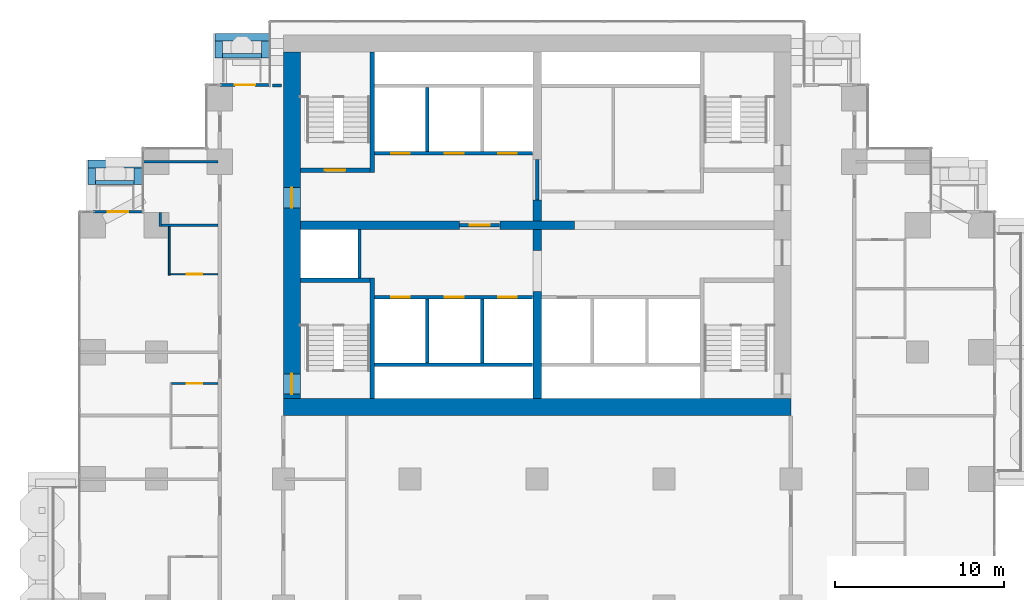
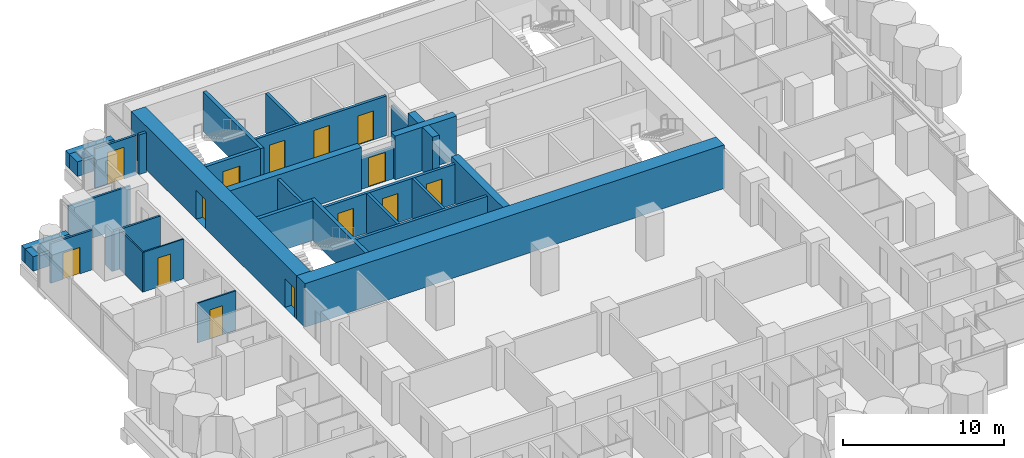
# One storey, part 14 of 19: 37 walls, 14 doors, 14 openings.
"""IFC4 building model written with IfcOpenShell, lengths in metres."""

from ifc_helpers import new_model, si_unit, direction, frame, frame_2d, origin, place, context, subcontext, project, spatial, rectangle, extrude, material, layer, layer_set, type_object, element, fill, save


model = new_model("IFC4")

# Units and contexts
model_context = context("Model", 3, precision=1e-05, world=origin(), true_north=direction((0.0, 1.0)))
body_context = subcontext(model_context, "Body", "Model", "MODEL_VIEW")
ifc_project = project(units=[si_unit("LENGTHUNIT", "METRE"), si_unit("AREAUNIT", "SQUARE_METRE"), si_unit("VOLUMEUNIT", "CUBIC_METRE"), si_unit("PLANEANGLEUNIT", "RADIAN"), si_unit("MASSUNIT", "GRAM", prefix="KILO")], contexts=[model_context])

# Site, building, storey
site_placement = place(None, origin())
site = spatial("IfcSite", under=ifc_project, at=site_placement, CompositionType="ELEMENT")
building_placement = place(site_placement, origin())
building = spatial("IfcBuilding", under=site, at=building_placement, Name="Pilkhan Gate Tower", CompositionType="ELEMENT")
storey_placement = place(building_placement, frame((0.0, 0.0, 65.89990234375)))
storey = spatial("IfcBuildingStorey", under=building, at=storey_placement, Name="L14", CompositionType="ELEMENT", Elevation=65.89990234375)

# Walls
ifc_material_1 = material(Name="Concrete C40/50", Category="concrete")
ifc_layer_1 = layer(ifc_material_1, 0.25)
ifc_layer_set_1 = layer_set([ifc_layer_1], Name="Balcony planter BP250")
wall_type_1 = type_object("IfcWallType", Name="Balcony planter BP250", PredefinedType="USERDEFINED", material=ifc_layer_set_1)
wall_1_placement = place(storey_placement, frame((56.39990234375, 92.52490234375, 0.0), z_axis=(0.0, 0.0, 1.0), x_axis=(1.0, 0.0, 0.0)))
element("IfcWall", 1, at=wall_1_placement, inside=storey, type_object=wall_type_1, Name="Balcony planter L14 N", ObjectType="BALCONY PLANTER", PredefinedType="USERDEFINED", context=body_context, shape_type="SweptSolid", body=[
    extrude(rectangle(XDim=2.300048828125, YDim=0.25, at=frame_2d((1.14990234375, 0.0))), origin(), (0.0, 0.0, 1.0), 1.0),
])
wall_2_placement = place(storey_placement, frame((48.89990234375, 85.02490234375, 0.0), z_axis=(0.0, 0.0, 1.0), x_axis=(1.0, 0.0, 0.0)))
element("IfcWall", 2, at=wall_2_placement, inside=storey, type_object=wall_type_1, Name="Balcony planter L14 N", ObjectType="BALCONY PLANTER", PredefinedType="USERDEFINED", context=body_context, shape_type="SweptSolid", body=[
    extrude(rectangle(XDim=2.280029296875, YDim=0.25, at=frame_2d((1.14013671875, 0.0))), origin(), (0.0, 0.0, 1.0), 1.0),
])
ifc_material_2 = material(Name="Board-marked Concrete C40/50", Category="concrete")
ifc_layer_2 = layer(ifc_material_2, 0.449951171875)
ifc_layer_set_2 = layer_set([ifc_layer_2], Name="Balcony planter lip BL450")
wall_type_2 = type_object("IfcWallType", Name="Balcony planter lip BL450", PredefinedType="USERDEFINED", material=ifc_layer_set_2)
wall_3_placement = place(storey_placement, frame((55.949951171875, 93.625, 0.0), z_axis=(0.0, 0.0, 1.0), x_axis=(1.0, 0.0, 0.0)))
element("IfcWall", 3, at=wall_3_placement, inside=storey, type_object=wall_type_2, Name="Balcony planter L14 N", ObjectType="BALCONY PLANTER", PredefinedType="USERDEFINED", context=body_context, shape_type="SweptSolid", body=[
    extrude(rectangle(XDim=3.199951171875, YDim=0.449951171875, at=frame_2d((1.60009765625, 0.0))), origin(), (0.0, 0.0, 1.0), 1.10009765625),
])
for number, where, z_axis, x_axis, name in (
    (4, (56.175048828125, 92.39990234375, 0.0), (0.0, 0.0, 1.0), (0.0, 1.0, 0.0), "Balcony planter L14 N"),
    (5, (58.925048828125, 92.39990234375, 0.0), (0.0, 0.0, 1.0), (0.0, 1.0, 0.0), "Balcony planter L14 N"),
):
    element("IfcWall", number, at=place(storey_placement, frame(where, z_axis=z_axis, x_axis=x_axis)), inside=storey, type_object=wall_type_2, Name=name, ObjectType="BALCONY PLANTER", PredefinedType="USERDEFINED", context=body_context, shape_type="SweptSolid", body=[
        extrude(rectangle(XDim=1.0, YDim=0.449951171875, at=frame_2d((0.5, 0.0))), origin(), (0.0, 0.0, 1.0), 1.10009765625),
    ])
wall_4_placement = place(storey_placement, frame((48.449951171875, 86.125, 0.0), z_axis=(0.0, 0.0, 1.0), x_axis=(1.0, 0.0, 0.0)))
element("IfcWall", 6, at=wall_4_placement, inside=storey, type_object=wall_type_2, Name="Balcony planter L14 N", ObjectType="BALCONY PLANTER", PredefinedType="USERDEFINED", context=body_context, shape_type="SweptSolid", body=[
    extrude(rectangle(XDim=3.179931640625, YDim=0.449951171875, at=frame_2d((1.58984375, 0.0))), origin(), (0.0, 0.0, 1.0), 1.10009765625),
])
for number, where, z_axis, x_axis, name in (
    (7, (48.675048828125, 84.89990234375, 0.0), (0.0, 0.0, 1.0), (0.0, 1.0, 0.0), "Balcony planter L14 N"),
    (8, (51.405029296875, 84.89990234375, 0.0), (0.0, 0.0, 1.0), (0.0, 1.0, 0.0), "Balcony planter L14 N"),
):
    element("IfcWall", number, at=place(storey_placement, frame(where, z_axis=z_axis, x_axis=x_axis)), inside=storey, type_object=wall_type_2, Name=name, ObjectType="BALCONY PLANTER", PredefinedType="USERDEFINED", context=body_context, shape_type="SweptSolid", body=[
        extrude(rectangle(XDim=1.0, YDim=0.449951171875, at=frame_2d((0.5, 0.0))), origin(), (0.0, 0.0, 1.0), 1.10009765625),
    ])
ifc_material_3 = material(Name="Concrete C70/85", Category="concrete")
ifc_layer_3 = layer(ifc_material_3, 1.0)
ifc_layer_set_3 = layer_set([ifc_layer_3], Name="Core wall CW1000 C70/85")
wall_type_3 = type_object("IfcWallType", Name="Core wall CW1000 C70/85", PredefinedType="SHEAR", material=ifc_layer_set_3)
wall_5_placement = place(storey_placement, frame((60.0, 71.75, 0.0), z_axis=(0.0, 0.0, 1.0), x_axis=(1.0, 0.0, 0.0)))
element("IfcWall", 9, at=wall_5_placement, inside=storey, type_object=wall_type_3, Name="Core wall S L14", PredefinedType="SHEAR", context=body_context, shape_type="SweptSolid", body=[
    extrude(rectangle(XDim=30.0, YDim=1.0, at=frame_2d((15.0, 0.0))), origin(), (0.0, 0.0, 1.0), 3.300048828125),
])

# Wall, openings, doors
wall_6_placement = place(storey_placement, frame((60.5, 92.75, 0.0), z_axis=(0.0, 0.0, 1.0), x_axis=(0.0, -1.0, 0.0)))
wall_6 = element("IfcWall", 10, at=wall_6_placement, inside=storey, type_object=wall_type_3, Name="Core wall W L14", PredefinedType="SHEAR", context=body_context, shape_type="SweptSolid", body=[
    extrude(rectangle(XDim=20.5, YDim=1.0, at=frame_2d((10.25, 0.0))), origin(), (0.0, 0.0, 1.0), 3.300048828125),
])
opening_1_placement = place(wall_6_placement, frame((19.02490234375, 0.0, 0.0)))
opening_1 = element("IfcOpeningElement", 11, at=opening_1_placement, cuts=wall_6, Name="Opening L14-04", PredefinedType="OPENING", context=body_context, shape_type="SweptSolid", body=[
    extrude(rectangle(XDim=1.199951171875, YDim=2.199951171875, at=frame_2d((0.60009765625, 1.10009765625))), frame((0.0, 0.510009765625, 0.0), z_axis=(0.0, -1.0, 0.0), x_axis=(1.0, 0.0, 0.0)), (0.0, 0.0, 1.0), 1.02001953125),
])
opening_2_placement = place(wall_6_placement, frame((8.02490234375, 0.0, 0.0)))
opening_2 = element("IfcOpeningElement", 12, at=opening_2_placement, cuts=wall_6, Name="Opening L14-49", PredefinedType="OPENING", context=body_context, shape_type="SweptSolid", body=[
    extrude(rectangle(XDim=1.199951171875, YDim=2.199951171875, at=frame_2d((0.60009765625, 1.10009765625))), frame((0.0, 0.510009765625, 0.0), z_axis=(0.0, -1.0, 0.0), x_axis=(1.0, 0.0, 0.0)), (0.0, 0.0, 1.0), 1.02001953125),
])
ifc_material_4 = material(Name="Steel door, 120 minute fire resisting, self-closing", Category="steel")
door_type_1 = type_object("IfcDoorType", Name="Firefighting lobby door D10 1200x2200", OperationType="SINGLE_SWING_LEFT", PredefinedType="DOOR", material=ifc_material_4)
door_1_placement = place(opening_2_placement, origin())
door_1 = element("IfcDoor", 13, at=door_1_placement, inside=storey, type_object=door_type_1, Name="Core door", OperationType="SINGLE_SWING_LEFT", OverallHeight=2.199951171875, OverallWidth=1.199951171875, PredefinedType="DOOR", context=body_context, shape_type="SweptSolid", body=[
    extrude(rectangle(XDim=1.199951171875, YDim=2.199951171875, at=frame_2d((0.60009765625, 1.10009765625))), frame((0.0, 0.02490234375, 0.0), z_axis=(0.0, -1.0, 0.0), x_axis=(1.0, 0.0, 0.0)), (0.0, 0.0, 1.0), 0.050048828125),
])
fill(opening_2, door_1)
ifc_material_5 = material(Name="Steel door, 120 minute fire resisting, panic bar", Category="steel")
door_type_2 = type_object("IfcDoorType", Name="Stair door D11 1200x2200", OperationType="SINGLE_SWING_LEFT", PredefinedType="DOOR", material=ifc_material_5)
door_2_placement = place(opening_1_placement, origin())
door_2 = element("IfcDoor", 14, at=door_2_placement, inside=storey, type_object=door_type_2, Name="Stair ST2 door", OperationType="SINGLE_SWING_LEFT", OverallHeight=2.199951171875, OverallWidth=1.199951171875, PredefinedType="DOOR", context=body_context, shape_type="SweptSolid", body=[
    extrude(rectangle(XDim=1.199951171875, YDim=2.199951171875, at=frame_2d((0.60009765625, 1.10009765625))), frame((0.0, 0.02490234375, 0.0), z_axis=(0.0, -1.0, 0.0), x_axis=(1.0, 0.0, 0.0)), (0.0, 0.0, 1.0), 0.050048828125),
])
fill(opening_1, door_2)

# Wall
ifc_material_6 = material(Name="Dense blockwork", Category="masonry")
ifc_layer_4 = layer(ifc_material_6, 0.199951171875)
ifc_layer_set_4 = layer_set([ifc_layer_4], Name="Corridor wall FW200")
wall_type_4 = type_object("IfcWallType", Name="Corridor wall FW200", PredefinedType="PARTITIONING", material=ifc_layer_set_4)
wall_7_placement = place(storey_placement, frame((59.35498046875, 90.764892578125, 0.0), z_axis=(0.0, 0.0, 1.0), x_axis=(1.0, 0.0, 0.0)))
element("IfcWall", 15, at=wall_7_placement, inside=storey, type_object=wall_type_4, Name="Partition L14", PredefinedType="PARTITIONING", context=body_context, shape_type="SweptSolid", body=[
    extrude(rectangle(XDim=0.52490234375, YDim=0.199951171875, at=frame_2d((0.262451171875, 0.0))), origin(), (0.0, 0.0, 1.0), 3.0),
])

# Wall, opening, door
ifc_material_7 = material(Name="Pale anodised aluminium, clear laminated glazing", Category="aluminium")
ifc_layer_5 = layer(ifc_material_7, 0.14990234375)
ifc_layer_set_5 = layer_set([ifc_layer_5], Name="Facade infill wall IW150")
wall_type_5 = type_object("IfcWallType", Name="Facade infill wall IW150", PredefinedType="SOLIDWALL", material=ifc_layer_set_5)
wall_8_placement = place(storey_placement, frame((56.25, 90.794921875, 0.0), z_axis=(0.0, 0.0, 1.0), x_axis=(1.0, 0.0, 0.0)))
wall_8 = element("IfcWall", 16, at=wall_8_placement, inside=storey, type_object=wall_type_5, Name="Infill wall L14 N", PredefinedType="SOLIDWALL", context=body_context, shape_type="SweptSolid", body=[
    extrude(rectangle(XDim=2.955078125, YDim=0.14990234375, at=frame_2d((1.4775390625, 0.0))), origin(), (0.0, 0.0, 1.0), 3.0),
])
opening_3_placement = place(wall_8_placement, frame((0.87744140625, 0.0, 0.0)))
opening_3 = element("IfcOpeningElement", 17, at=opening_3_placement, cuts=wall_8, Name="Opening D1", PredefinedType="OPENING", context=body_context, shape_type="SweptSolid", body=[
    extrude(rectangle(XDim=1.199951171875, YDim=2.39990234375, at=frame_2d((0.60009765625, 1.199951171875))), frame((0.0, 0.0849609375, 0.0), z_axis=(0.0, -1.0, 0.0), x_axis=(1.0, 0.0, 0.0)), (0.0, 0.0, 1.0), 0.169921875),
])
ifc_material_8 = material(Name="Pale anodised aluminium, clear glazing", Category="aluminium")
door_type_3 = type_object("IfcDoorType", Name="Balcony door D1 1200x2400", OperationType="SINGLE_SWING_LEFT", PredefinedType="DOOR", material=ifc_material_8)
door_3_placement = place(opening_3_placement, origin())
door_3 = element("IfcDoor", 18, at=door_3_placement, inside=storey, type_object=door_type_3, Name="Balcony door L14", OperationType="SINGLE_SWING_LEFT", OverallHeight=2.39990234375, OverallWidth=1.199951171875, PredefinedType="DOOR", context=body_context, shape_type="SweptSolid", body=[
    extrude(rectangle(XDim=1.199951171875, YDim=2.39990234375, at=frame_2d((0.60009765625, 1.199951171875))), frame((0.0, 0.02490234375, 0.0), z_axis=(0.0, -1.0, 0.0), x_axis=(1.0, 0.0, 0.0)), (0.0, 0.0, 1.0), 0.050048828125),
])
fill(opening_3, door_3)

wall_9_placement = place(storey_placement, frame((48.75, 83.294921875, 0.0), z_axis=(0.0, 0.0, 1.0), x_axis=(1.0, 0.0, 0.0)))
wall_9 = element("IfcWall", 19, at=wall_9_placement, inside=storey, type_object=wall_type_5, Name="Infill wall L14 N", PredefinedType="SOLIDWALL", context=body_context, shape_type="SweptSolid", body=[
    extrude(rectangle(XDim=2.955078125, YDim=0.14990234375, at=frame_2d((1.4775390625, 0.0))), origin(), (0.0, 0.0, 1.0), 3.0),
])
opening_4_placement = place(wall_9_placement, frame((0.87744140625, 0.0, 0.0)))
opening_4 = element("IfcOpeningElement", 20, at=opening_4_placement, cuts=wall_9, Name="Opening D1L", PredefinedType="OPENING", context=body_context, shape_type="SweptSolid", body=[
    extrude(rectangle(XDim=1.199951171875, YDim=2.0, at=frame_2d((0.60009765625, 1.0))), frame((0.0, 0.0849609375, 0.0), z_axis=(0.0, -1.0, 0.0), x_axis=(1.0, 0.0, 0.0)), (0.0, 0.0, 1.0), 0.169921875),
])
door_type_4 = type_object("IfcDoorType", Name="Balcony door D1L 1200x2000", OperationType="SINGLE_SWING_LEFT", PredefinedType="DOOR", material=ifc_material_8)
door_4_placement = place(opening_4_placement, origin())
door_4 = element("IfcDoor", 21, at=door_4_placement, inside=storey, type_object=door_type_4, Name="Balcony door L14", OperationType="SINGLE_SWING_LEFT", OverallHeight=2.0, OverallWidth=1.199951171875, PredefinedType="DOOR", context=body_context, shape_type="SweptSolid", body=[
    extrude(rectangle(XDim=1.199951171875, YDim=2.0, at=frame_2d((0.60009765625, 1.0))), frame((0.0, 0.02490234375, 0.0), z_axis=(0.0, -1.0, 0.0), x_axis=(1.0, 0.0, 0.0)), (0.0, 0.0, 1.0), 0.050048828125),
])
fill(opening_4, door_4)

ifc_layer_6 = layer(ifc_material_6, 0.199951171875)
ifc_layer_set_6 = layer_set([ifc_layer_6], Name="Lobby wall LW200")
wall_type_6 = type_object("IfcWallType", Name="Lobby wall LW200", PredefinedType="PARTITIONING", material=ifc_layer_set_6)
wall_10_placement = place(storey_placement, frame((70.409912109375, 82.5, 0.0), z_axis=(0.0, 0.0, 1.0), x_axis=(1.0, 0.0, 0.0)))
wall_10 = element("IfcWall", 22, at=wall_10_placement, inside=storey, type_object=wall_type_6, Name="Partition L14", PredefinedType="PARTITIONING", context=body_context, shape_type="SweptSolid", body=[
    extrude(rectangle(XDim=2.380126953125, YDim=0.199951171875, at=frame_2d((1.18994140625, 0.0))), origin(), (0.0, 0.0, 1.0), 2.400146484375),
])
opening_5_placement = place(wall_10_placement, frame((0.60009765625, 0.0, 0.0)))
opening_5 = element("IfcOpeningElement", 23, at=opening_5_placement, cuts=wall_10, Name="Opening L14-01", PredefinedType="OPENING", context=body_context, shape_type="SweptSolid", body=[
    extrude(rectangle(XDim=1.199951171875, YDim=2.199951171875, at=frame_2d((0.60009765625, 1.10009765625))), frame((0.0, 0.10986328125, 0.0), z_axis=(0.0, -1.0, 0.0), x_axis=(1.0, 0.0, 0.0)), (0.0, 0.0, 1.0), 0.219970703125),
])
door_5_placement = place(opening_5_placement, origin())
door_5 = element("IfcDoor", 24, at=door_5_placement, inside=storey, type_object=door_type_1, Name="Firefighting lobby door", OperationType="SINGLE_SWING_LEFT", OverallHeight=2.199951171875, OverallWidth=1.199951171875, PredefinedType="DOOR", context=body_context, shape_type="SweptSolid", body=[
    extrude(rectangle(XDim=1.199951171875, YDim=2.199951171875, at=frame_2d((0.60009765625, 1.10009765625))), frame((0.0, 0.02490234375, 0.0), z_axis=(0.0, -1.0, 0.0), x_axis=(1.0, 0.0, 0.0)), (0.0, 0.0, 1.0), 0.050048828125),
])
fill(opening_5, door_5)

# Walls
wall_11_placement = place(storey_placement, frame((75.0, 84.010009765625, 0.0), z_axis=(0.0, 0.0, 1.0), x_axis=(0.0, 1.0, 0.0)))
element("IfcWall", 25, at=wall_11_placement, inside=storey, type_object=wall_type_6, Name="Partition L14", PredefinedType="PARTITIONING", context=body_context, shape_type="SweptSolid", body=[
    extrude(rectangle(XDim=2.3798828125, YDim=0.199951171875, at=frame_2d((1.18994140625, 0.0))), origin(), (0.0, 0.0, 1.0), 2.400146484375),
])
ifc_material_9 = material(Name="Blockwork partition, plastered both sides", Category="masonry")
ifc_layer_7 = layer(ifc_material_9, 0.14990234375)
ifc_layer_set_7 = layer_set([ifc_layer_7], Name="Partition PW150")
wall_type_7 = type_object("IfcWallType", Name="Partition PW150", PredefinedType="PARTITIONING", material=ifc_layer_set_7)
wall_12_placement = place(storey_placement, frame((52.81005859375, 82.5, 0.0), z_axis=(0.0, 0.0, 1.0), x_axis=(1.0, 0.0, 0.0)))
element("IfcWall", 26, at=wall_12_placement, inside=storey, type_object=wall_type_7, Name="Partition L14", PredefinedType="PARTITIONING", context=body_context, shape_type="SweptSolid", body=[
    extrude(rectangle(XDim=3.33984375, YDim=0.14990234375, at=frame_2d((1.669921875, 0.0))), origin(), (0.0, 0.0, 1.0), 3.0),
])
wall_13_placement = place(storey_placement, frame((51.735107421875, 86.25, 0.0), z_axis=(0.0, 0.0, 1.0), x_axis=(1.0, 0.0, 0.0)))
element("IfcWall", 27, at=wall_13_placement, inside=storey, type_object=wall_type_7, Name="Partition L14", PredefinedType="PARTITIONING", context=body_context, shape_type="SweptSolid", body=[
    extrude(rectangle(XDim=4.414794921875, YDim=0.14990234375, at=frame_2d((2.20751953125, 0.0))), origin(), (0.0, 0.0, 1.0), 3.0),
])
wall_14_placement = place(storey_placement, frame((52.735107421875, 82.425048828125, 0.0), z_axis=(0.0, 0.0, 1.0), x_axis=(0.0, 1.0, 0.0)))
element("IfcWall", 28, at=wall_14_placement, inside=storey, type_object=wall_type_7, Name="Partition L14", PredefinedType="PARTITIONING", context=body_context, shape_type="SweptSolid", body=[
    extrude(rectangle(XDim=0.83984375, YDim=0.14990234375, at=frame_2d((0.419921875, 0.0))), origin(), (0.0, 0.0, 1.0), 3.0),
])
ifc_material_10 = material(Name="Reinforced blockwork shaft wall, 120 minute fire resisting", Category="masonry")
ifc_layer_8 = layer(ifc_material_10, 0.199951171875)
ifc_layer_set_8 = layer_set([ifc_layer_8], Name="Shaft wall SW200")
wall_type_8 = type_object("IfcWallType", Name="Shaft wall SW200", PredefinedType="PARTITIONING", material=ifc_layer_set_8)
wall_15_placement = place(storey_placement, frame((65.375, 74.25, 0.0), z_axis=(0.0, 0.0, 1.0), x_axis=(1.0, 0.0, 0.0)))
element("IfcWall", 29, at=wall_15_placement, inside=storey, type_object=wall_type_8, Name="Partition L14", PredefinedType="PARTITIONING", context=body_context, shape_type="SweptSolid", body=[
    extrude(rectangle(XDim=9.364990234375, YDim=0.199951171875, at=frame_2d((4.6826171875, 0.0))), origin(), (0.0, 0.0, 1.0), 3.0),
])

# Wall, openings, doors
wall_16_placement = place(storey_placement, frame((65.375, 78.25, 0.0), z_axis=(0.0, 0.0, 1.0), x_axis=(1.0, 0.0, 0.0)))
wall_16 = element("IfcWall", 30, at=wall_16_placement, inside=storey, type_object=wall_type_8, Name="Partition L14", PredefinedType="PARTITIONING", context=body_context, shape_type="SweptSolid", body=[
    extrude(rectangle(XDim=9.364990234375, YDim=0.199951171875, at=frame_2d((4.6826171875, 0.0))), origin(), (0.0, 0.0, 1.0), 3.0),
])
opening_6_placement = place(wall_16_placement, frame((1.0, 0.0, 0.0)))
opening_6 = element("IfcOpeningElement", 31, at=opening_6_placement, cuts=wall_16, Name="Opening LD", PredefinedType="OPENING", context=body_context, shape_type="SweptSolid", body=[
    extrude(rectangle(XDim=1.10009765625, YDim=2.199951171875, at=frame_2d((0.550048828125, 1.10009765625))), frame((0.0, 0.10986328125, 0.0), z_axis=(0.0, -1.0, 0.0), x_axis=(1.0, 0.0, 0.0)), (0.0, 0.0, 1.0), 0.219970703125),
])
opening_7_placement = place(wall_16_placement, frame((4.175048828125, 0.0, 0.0)))
opening_7 = element("IfcOpeningElement", 32, at=opening_7_placement, cuts=wall_16, Name="Opening LD", PredefinedType="OPENING", context=body_context, shape_type="SweptSolid", body=[
    extrude(rectangle(XDim=1.10009765625, YDim=2.199951171875, at=frame_2d((0.550048828125, 1.10009765625))), frame((0.0, 0.10986328125, 0.0), z_axis=(0.0, -1.0, 0.0), x_axis=(1.0, 0.0, 0.0)), (0.0, 0.0, 1.0), 0.219970703125),
])
opening_8_placement = place(wall_16_placement, frame((7.324951171875, 0.0, 0.0)))
opening_8 = element("IfcOpeningElement", 33, at=opening_8_placement, cuts=wall_16, Name="Opening LD", PredefinedType="OPENING", context=body_context, shape_type="SweptSolid", body=[
    extrude(rectangle(XDim=1.10009765625, YDim=2.199951171875, at=frame_2d((0.550048828125, 1.10009765625))), frame((0.0, 0.10986328125, 0.0), z_axis=(0.0, -1.0, 0.0), x_axis=(1.0, 0.0, 0.0)), (0.0, 0.0, 1.0), 0.219970703125),
])
ifc_material_11 = material(Name="Stainless steel centre-opening landing door, 120 minute fire resisting", Category="steel")
door_type_5 = type_object("IfcDoorType", Name="Lift landing door LD 1100x2200", OperationType="DOUBLE_DOOR_SLIDING", PredefinedType="DOOR", material=ifc_material_11)
door_6_placement = place(opening_6_placement, origin())
door_6 = element("IfcDoor", 34, at=door_6_placement, inside=storey, type_object=door_type_5, Name="Landing door LR1", OperationType="DOUBLE_DOOR_SLIDING", OverallHeight=2.199951171875, OverallWidth=1.10009765625, PredefinedType="DOOR", context=body_context, shape_type="SweptSolid", body=[
    extrude(rectangle(XDim=1.10009765625, YDim=2.199951171875, at=frame_2d((0.550048828125, 1.10009765625))), frame((0.0, 0.02490234375, 0.0), z_axis=(0.0, -1.0, 0.0), x_axis=(1.0, 0.0, 0.0)), (0.0, 0.0, 1.0), 0.050048828125),
])
fill(opening_6, door_6)
door_7_placement = place(opening_7_placement, origin())
door_7 = element("IfcDoor", 35, at=door_7_placement, inside=storey, type_object=door_type_5, Name="Landing door LR2", OperationType="DOUBLE_DOOR_SLIDING", OverallHeight=2.199951171875, OverallWidth=1.10009765625, PredefinedType="DOOR", context=body_context, shape_type="SweptSolid", body=[
    extrude(rectangle(XDim=1.10009765625, YDim=2.199951171875, at=frame_2d((0.550048828125, 1.10009765625))), frame((0.0, 0.02490234375, 0.0), z_axis=(0.0, -1.0, 0.0), x_axis=(1.0, 0.0, 0.0)), (0.0, 0.0, 1.0), 0.050048828125),
])
fill(opening_7, door_7)
door_8_placement = place(opening_8_placement, origin())
door_8 = element("IfcDoor", 36, at=door_8_placement, inside=storey, type_object=door_type_5, Name="Landing door LR3", OperationType="DOUBLE_DOOR_SLIDING", OverallHeight=2.199951171875, OverallWidth=1.10009765625, PredefinedType="DOOR", context=body_context, shape_type="SweptSolid", body=[
    extrude(rectangle(XDim=1.10009765625, YDim=2.199951171875, at=frame_2d((0.550048828125, 1.10009765625))), frame((0.0, 0.02490234375, 0.0), z_axis=(0.0, -1.0, 0.0), x_axis=(1.0, 0.0, 0.0)), (0.0, 0.0, 1.0), 0.050048828125),
])
fill(opening_8, door_8)

wall_17_placement = place(storey_placement, frame((65.375, 86.75, 0.0), z_axis=(0.0, 0.0, 1.0), x_axis=(1.0, 0.0, 0.0)))
wall_17 = element("IfcWall", 37, at=wall_17_placement, inside=storey, type_object=wall_type_8, Name="Partition L14", PredefinedType="PARTITIONING", context=body_context, shape_type="SweptSolid", body=[
    extrude(rectangle(XDim=9.364990234375, YDim=0.199951171875, at=frame_2d((4.6826171875, 0.0))), origin(), (0.0, 0.0, 1.0), 3.0),
])
opening_9_placement = place(wall_17_placement, frame((1.0, 0.0, 0.0)))
opening_9 = element("IfcOpeningElement", 38, at=opening_9_placement, cuts=wall_17, Name="Opening LD", PredefinedType="OPENING", context=body_context, shape_type="SweptSolid", body=[
    extrude(rectangle(XDim=1.10009765625, YDim=2.199951171875, at=frame_2d((0.550048828125, 1.10009765625))), frame((0.0, 0.10986328125, 0.0), z_axis=(0.0, -1.0, 0.0), x_axis=(1.0, 0.0, 0.0)), (0.0, 0.0, 1.0), 0.219970703125),
])
opening_10_placement = place(wall_17_placement, frame((4.175048828125, 0.0, 0.0)))
opening_10 = element("IfcOpeningElement", 39, at=opening_10_placement, cuts=wall_17, Name="Opening LD", PredefinedType="OPENING", context=body_context, shape_type="SweptSolid", body=[
    extrude(rectangle(XDim=1.10009765625, YDim=2.199951171875, at=frame_2d((0.550048828125, 1.10009765625))), frame((0.0, 0.10986328125, 0.0), z_axis=(0.0, -1.0, 0.0), x_axis=(1.0, 0.0, 0.0)), (0.0, 0.0, 1.0), 0.219970703125),
])
opening_11_placement = place(wall_17_placement, frame((7.324951171875, 0.0, 0.0)))
opening_11 = element("IfcOpeningElement", 40, at=opening_11_placement, cuts=wall_17, Name="Opening LD", PredefinedType="OPENING", context=body_context, shape_type="SweptSolid", body=[
    extrude(rectangle(XDim=1.10009765625, YDim=2.199951171875, at=frame_2d((0.550048828125, 1.10009765625))), frame((0.0, 0.10986328125, 0.0), z_axis=(0.0, -1.0, 0.0), x_axis=(1.0, 0.0, 0.0)), (0.0, 0.0, 1.0), 0.219970703125),
])
door_9_placement = place(opening_9_placement, origin())
door_9 = element("IfcDoor", 41, at=door_9_placement, inside=storey, type_object=door_type_5, Name="Landing door FF1", OperationType="DOUBLE_DOOR_SLIDING", OverallHeight=2.199951171875, OverallWidth=1.10009765625, PredefinedType="DOOR", context=body_context, shape_type="SweptSolid", body=[
    extrude(rectangle(XDim=1.10009765625, YDim=2.199951171875, at=frame_2d((0.550048828125, 1.10009765625))), frame((0.0, 0.02490234375, 0.0), z_axis=(0.0, -1.0, 0.0), x_axis=(1.0, 0.0, 0.0)), (0.0, 0.0, 1.0), 0.050048828125),
])
fill(opening_9, door_9)
door_10_placement = place(opening_10_placement, origin())
door_10 = element("IfcDoor", 42, at=door_10_placement, inside=storey, type_object=door_type_5, Name="Landing door FF2", OperationType="DOUBLE_DOOR_SLIDING", OverallHeight=2.199951171875, OverallWidth=1.10009765625, PredefinedType="DOOR", context=body_context, shape_type="SweptSolid", body=[
    extrude(rectangle(XDim=1.10009765625, YDim=2.199951171875, at=frame_2d((0.550048828125, 1.10009765625))), frame((0.0, 0.02490234375, 0.0), z_axis=(0.0, -1.0, 0.0), x_axis=(1.0, 0.0, 0.0)), (0.0, 0.0, 1.0), 0.050048828125),
])
fill(opening_10, door_10)
door_11_placement = place(opening_11_placement, origin())
door_11 = element("IfcDoor", 43, at=door_11_placement, inside=storey, type_object=door_type_5, Name="Landing door SV1", OperationType="DOUBLE_DOOR_SLIDING", OverallHeight=2.199951171875, OverallWidth=1.10009765625, PredefinedType="DOOR", context=body_context, shape_type="SweptSolid", body=[
    extrude(rectangle(XDim=1.10009765625, YDim=2.199951171875, at=frame_2d((0.550048828125, 1.10009765625))), frame((0.0, 0.02490234375, 0.0), z_axis=(0.0, -1.0, 0.0), x_axis=(1.0, 0.0, 0.0)), (0.0, 0.0, 1.0), 0.050048828125),
])
fill(opening_11, door_11)

# Walls
wall_18_placement = place(storey_placement, frame((64.5, 79.375, 0.0), z_axis=(0.0, 0.0, 1.0), x_axis=(0.0, 1.0, 0.0)))
element("IfcWall", 44, at=wall_18_placement, inside=storey, type_object=wall_type_8, Name="Partition L14", PredefinedType="PARTITIONING", context=body_context, shape_type="SweptSolid", body=[
    extrude(rectangle(XDim=2.864990234375, YDim=0.199951171875, at=frame_2d((1.4326171875, 0.0))), origin(), (0.0, 0.0, 1.0), 3.0),
])
for number, where, z_axis, x_axis, name in (
    (45, (68.5, 74.35009765625, 0.0), (0.0, 0.0, 1.0), (0.0, 1.0, 0.0), "Partition L14"),
    (46, (68.5, 86.85009765625, 0.0), (0.0, 0.0, 1.0), (0.0, 1.0, 0.0), "Partition L14"),
    (47, (71.75, 74.35009765625, 0.0), (0.0, 0.0, 1.0), (0.0, 1.0, 0.0), "Partition L14"),
):
    element("IfcWall", number, at=place(storey_placement, frame(where, z_axis=z_axis, x_axis=x_axis)), inside=storey, type_object=wall_type_8, Name=name, PredefinedType="PARTITIONING", context=body_context, shape_type="SweptSolid", body=[
        extrude(rectangle(XDim=3.7998046875, YDim=0.199951171875, at=frame_2d((1.89990234375, 0.0))), origin(), (0.0, 0.0, 1.0), 3.0),
    ])
ifc_layer_9 = layer(ifc_material_3, 0.5)
ifc_layer_set_9 = layer_set([ifc_layer_9], Name="Spine wall SW500 C70/85")
wall_type_9 = type_object("IfcWallType", Name="Spine wall SW500 C70/85", PredefinedType="SHEAR", material=ifc_layer_set_9)
wall_19_placement = place(storey_placement, frame((61.0, 82.5, 0.0), z_axis=(0.0, 0.0, 1.0), x_axis=(1.0, 0.0, 0.0)))
element("IfcWall", 48, at=wall_19_placement, inside=storey, type_object=wall_type_9, Name="Spine wall SP-EW1 L14", PredefinedType="SHEAR", context=body_context, shape_type="SweptSolid", body=[
    extrude(rectangle(XDim=9.39990234375, YDim=0.5, at=frame_2d((4.699951171875, 0.0))), origin(), (0.0, 0.0, 1.0), 3.300048828125),
])
wall_20_placement = place(storey_placement, frame((72.800048828125, 82.5, 0.0), z_axis=(0.0, 0.0, 1.0), x_axis=(1.0, 0.0, 0.0)))
element("IfcWall", 49, at=wall_20_placement, inside=storey, type_object=wall_type_9, Name="Spine wall SP-EW2 L14", PredefinedType="SHEAR", context=body_context, shape_type="SweptSolid", body=[
    extrude(rectangle(XDim=4.39990234375, YDim=0.5, at=frame_2d((2.199951171875, 0.0))), origin(), (0.0, 0.0, 1.0), 3.300048828125),
])
wall_21_placement = place(storey_placement, frame((75.0, 72.25, 0.0), z_axis=(0.0, 0.0, 1.0), x_axis=(0.0, 1.0, 0.0)))
element("IfcWall", 50, at=wall_21_placement, inside=storey, type_object=wall_type_9, Name="Spine wall SP-NS-S1 L14", PredefinedType="SHEAR", context=body_context, shape_type="SweptSolid", body=[
    extrude(rectangle(XDim=6.35009765625, YDim=0.5, at=frame_2d((3.175048828125, 0.0))), origin(), (0.0, 0.0, 1.0), 3.300048828125),
])
for number, where, z_axis, x_axis, name in (
    (51, (75.0, 81.0, 0.0), (0.0, 0.0, 1.0), (0.0, 1.0, 0.0), "Spine wall SP-NS-S2 L14"),
    (52, (75.0, 82.75, 0.0), (0.0, 0.0, 1.0), (0.0, 1.0, 0.0), "Spine wall SP-NS-N1 L14"),
):
    element("IfcWall", number, at=place(storey_placement, frame(where, z_axis=z_axis, x_axis=x_axis)), inside=storey, type_object=wall_type_9, Name=name, PredefinedType="SHEAR", context=body_context, shape_type="SweptSolid", body=[
        extrude(rectangle(XDim=1.25, YDim=0.5, at=frame_2d((0.625, 0.0))), origin(), (0.0, 0.0, 1.0), 3.300048828125),
    ])
ifc_material_12 = material(Name="Reinforced blockwork, 120 minute fire resisting", Category="masonry")
ifc_layer_10 = layer(ifc_material_12, 0.25)
ifc_layer_set_10 = layer_set([ifc_layer_10], Name="Stair enclosure wall SE250")
wall_type_10 = type_object("IfcWallType", Name="Stair enclosure wall SE250", PredefinedType="PARTITIONING", material=ifc_layer_set_10)
wall_22_placement = place(storey_placement, frame((61.010009765625, 79.25, 0.0), z_axis=(0.0, 0.0, 1.0), x_axis=(1.0, 0.0, 0.0)))
element("IfcWall", 53, at=wall_22_placement, inside=storey, type_object=wall_type_10, Name="Partition L14", PredefinedType="PARTITIONING", context=body_context, shape_type="SweptSolid", body=[
    extrude(rectangle(XDim=4.114990234375, YDim=0.25, at=frame_2d((2.0576171875, 0.0))), origin(), (0.0, 0.0, 1.0), 3.0),
])

# Wall, opening, door
wall_23_placement = place(storey_placement, frame((61.010009765625, 85.75, 0.0), z_axis=(0.0, 0.0, 1.0), x_axis=(1.0, 0.0, 0.0)))
wall_23 = element("IfcWall", 54, at=wall_23_placement, inside=storey, type_object=wall_type_10, Name="Partition L14", PredefinedType="PARTITIONING", context=body_context, shape_type="SweptSolid", body=[
    extrude(rectangle(XDim=4.114990234375, YDim=0.25, at=frame_2d((2.0576171875, 0.0))), origin(), (0.0, 0.0, 1.0), 3.0),
])
opening_12_placement = place(wall_23_placement, frame((1.449951171875, 0.0, 0.0)))
opening_12 = element("IfcOpeningElement", 55, at=opening_12_placement, cuts=wall_23, Name="Opening L14-02", PredefinedType="OPENING", context=body_context, shape_type="SweptSolid", body=[
    extrude(rectangle(XDim=1.199951171875, YDim=2.199951171875, at=frame_2d((0.60009765625, 1.10009765625))), frame((0.0, 0.135009765625, 0.0), z_axis=(0.0, -1.0, 0.0), x_axis=(1.0, 0.0, 0.0)), (0.0, 0.0, 1.0), 0.27001953125),
])
door_12_placement = place(opening_12_placement, origin())
door_12 = element("IfcDoor", 56, at=door_12_placement, inside=storey, type_object=door_type_2, Name="Stair ST3 lobby door", OperationType="SINGLE_SWING_LEFT", OverallHeight=2.199951171875, OverallWidth=1.199951171875, PredefinedType="DOOR", context=body_context, shape_type="SweptSolid", body=[
    extrude(rectangle(XDim=1.199951171875, YDim=2.199951171875, at=frame_2d((0.60009765625, 1.10009765625))), frame((0.0, 0.02490234375, 0.0), z_axis=(0.0, -1.0, 0.0), x_axis=(1.0, 0.0, 0.0)), (0.0, 0.0, 1.0), 0.050048828125),
])
fill(opening_12, door_12)

# Walls
for number, where, z_axis, x_axis, name in (
    (57, (65.25, 72.260009765625, 0.0), (0.0, 0.0, 1.0), (0.0, 1.0, 0.0), "Partition L14"),
    (58, (65.25, 85.625, 0.0), (0.0, 0.0, 1.0), (0.0, 1.0, 0.0), "Partition L14"),
):
    element("IfcWall", number, at=place(storey_placement, frame(where, z_axis=z_axis, x_axis=x_axis)), inside=storey, type_object=wall_type_10, Name=name, PredefinedType="PARTITIONING", context=body_context, shape_type="SweptSolid", body=[
        extrude(rectangle(XDim=7.114990234375, YDim=0.25, at=frame_2d((3.5576171875, 0.0))), origin(), (0.0, 0.0, 1.0), 3.0),
    ])

# Wall, opening, door
ifc_material_13 = material(Name="Moisture resistant board, tiled")
ifc_layer_11 = layer(ifc_material_13, 0.10009765625)
ifc_layer_set_11 = layer_set([ifc_layer_11], Name="Wet wall PW100")
wall_type_11 = type_object("IfcWallType", Name="Wet wall PW100", PredefinedType="PARTITIONING", material=ifc_layer_set_11)
wall_24_placement = place(storey_placement, frame((53.39990234375, 73.14990234375, 0.0), z_axis=(0.0, 0.0, 1.0), x_axis=(1.0, 0.0, 0.0)))
wall_24 = element("IfcWall", 59, at=wall_24_placement, inside=storey, type_object=wall_type_11, Name="Partition L14", PredefinedType="PARTITIONING", context=body_context, shape_type="SweptSolid", body=[
    extrude(rectangle(XDim=2.75, YDim=0.10009765625, at=frame_2d((1.375, 0.0))), origin(), (0.0, 0.0, 1.0), 3.0),
])
opening_13_placement = place(wall_24_placement, frame((0.89990234375, 0.0, 0.0)))
opening_13 = element("IfcOpeningElement", 60, at=opening_13_placement, cuts=wall_24, Name="Opening L14-35", PredefinedType="OPENING", context=body_context, shape_type="SweptSolid", body=[
    extrude(rectangle(XDim=0.89990234375, YDim=2.199951171875, at=frame_2d((0.449951171875, 1.10009765625))), frame((0.0, 0.06005859375, 0.0), z_axis=(0.0, -1.0, 0.0), x_axis=(1.0, 0.0, 0.0)), (0.0, 0.0, 1.0), 0.1201171875),
])
ifc_material_14 = material(Name="Timber flush door", Category="wood")
door_type_6 = type_object("IfcDoorType", Name="Bathroom door D02 900x2200", OperationType="SINGLE_SWING_RIGHT", PredefinedType="DOOR", material=ifc_material_14)
door_13_placement = place(opening_13_placement, origin())
door_13 = element("IfcDoor", 61, at=door_13_placement, inside=storey, type_object=door_type_6, Name="Bathroom door", OperationType="SINGLE_SWING_RIGHT", OverallHeight=2.199951171875, OverallWidth=0.89990234375, PredefinedType="DOOR", context=body_context, shape_type="SweptSolid", body=[
    extrude(rectangle(XDim=0.89990234375, YDim=2.199951171875, at=frame_2d((0.449951171875, 1.10009765625))), frame((0.0, 0.02490234375, 0.0), z_axis=(0.0, -1.0, 0.0), x_axis=(1.0, 0.0, 0.0)), (0.0, 0.0, 1.0), 0.050048828125),
])
fill(opening_13, door_13)

wall_25_placement = place(storey_placement, frame((53.300048828125, 79.60009765625, 0.0), z_axis=(0.0, 0.0, 1.0), x_axis=(1.0, 0.0, 0.0)))
wall_25 = element("IfcWall", 62, at=wall_25_placement, inside=storey, type_object=wall_type_11, Name="Partition L14", PredefinedType="PARTITIONING", context=body_context, shape_type="SweptSolid", body=[
    extrude(rectangle(XDim=2.849853515625, YDim=0.10009765625, at=frame_2d((1.4248046875, 0.0))), origin(), (0.0, 0.0, 1.0), 3.0),
])
opening_14_placement = place(wall_25_placement, frame((1.0, 0.0, 0.0)))
opening_14 = element("IfcOpeningElement", 63, at=opening_14_placement, cuts=wall_25, Name="Opening L14-37", PredefinedType="OPENING", context=body_context, shape_type="SweptSolid", body=[
    extrude(rectangle(XDim=0.89990234375, YDim=2.199951171875, at=frame_2d((0.449951171875, 1.10009765625))), frame((0.0, 0.06005859375, 0.0), z_axis=(0.0, -1.0, 0.0), x_axis=(1.0, 0.0, 0.0)), (0.0, 0.0, 1.0), 0.1201171875),
])
door_14_placement = place(opening_14_placement, origin())
door_14 = element("IfcDoor", 64, at=door_14_placement, inside=storey, type_object=door_type_6, Name="Bathroom door", OperationType="SINGLE_SWING_RIGHT", OverallHeight=2.199951171875, OverallWidth=0.89990234375, PredefinedType="DOOR", context=body_context, shape_type="SweptSolid", body=[
    extrude(rectangle(XDim=0.89990234375, YDim=2.199951171875, at=frame_2d((0.449951171875, 1.10009765625))), frame((0.0, 0.02490234375, 0.0), z_axis=(0.0, -1.0, 0.0), x_axis=(1.0, 0.0, 0.0)), (0.0, 0.0, 1.0), 0.050048828125),
])
fill(opening_14, door_14)

# Wall
wall_26_placement = place(storey_placement, frame((53.25, 79.550048828125, 0.0), z_axis=(0.0, 0.0, 1.0), x_axis=(0.0, 1.0, 0.0)))
element("IfcWall", 65, at=wall_26_placement, inside=storey, type_object=wall_type_11, Name="Partition L14", PredefinedType="PARTITIONING", context=body_context, shape_type="SweptSolid", body=[
    extrude(rectangle(XDim=2.875, YDim=0.10009765625, at=frame_2d((1.4375, 0.0))), origin(), (0.0, 0.0, 1.0), 3.0),
])

save(model, "model.ifc")
